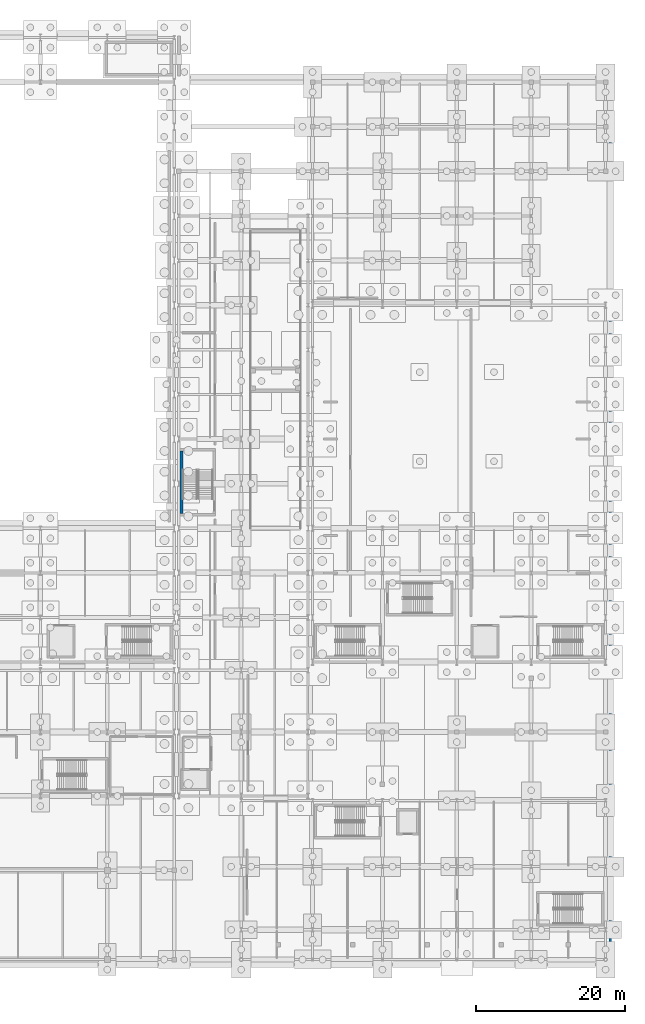
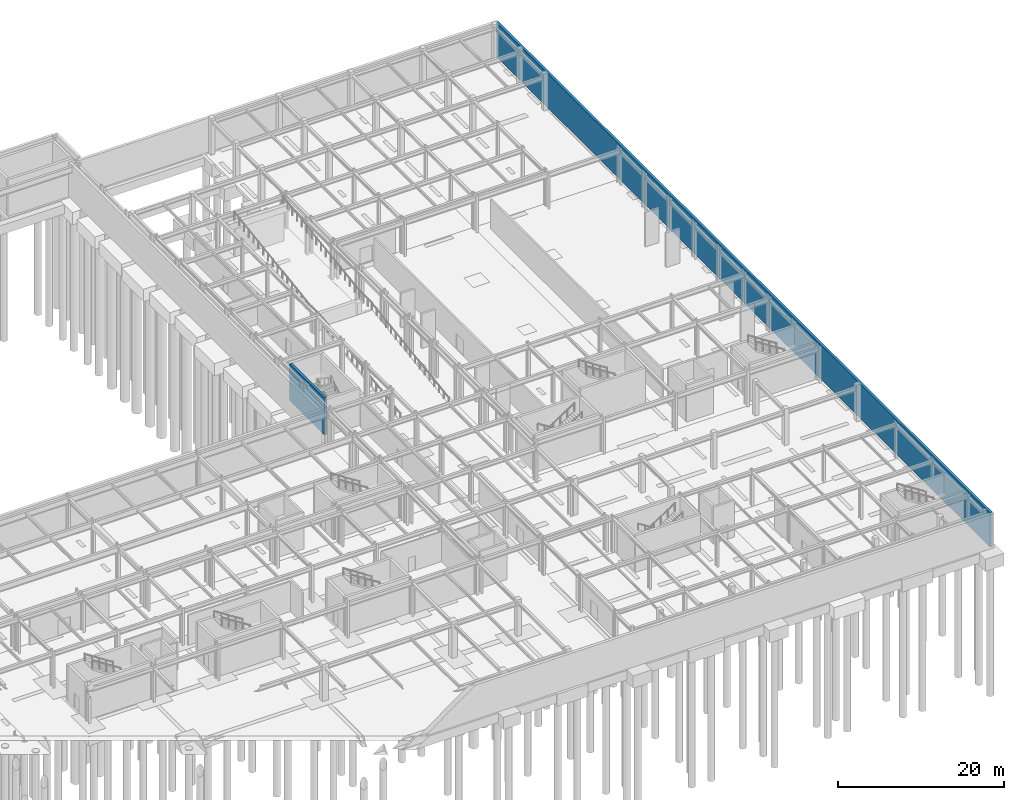
# One storey, part 48 of 65: 2 walls.
"""IFC4 building model written with IfcOpenShell, lengths in metres."""

from ifc_helpers import new_model, si_unit, direction, frame, frame_2d, origin, place, context, subcontext, project, spatial, rectangle, extrude, material, layer, layer_set, type_object, element, save


model = new_model("IFC4")

# Units and contexts
model_context = context("Model", 3, precision=1e-05, world=origin(), true_north=direction((0.0, 1.0)))
body_context = subcontext(model_context, "Body", "Model", "MODEL_VIEW")
ifc_project = project(units=[si_unit("LENGTHUNIT", "METRE"), si_unit("AREAUNIT", "SQUARE_METRE"), si_unit("VOLUMEUNIT", "CUBIC_METRE"), si_unit("PLANEANGLEUNIT", "RADIAN"), si_unit("MASSUNIT", "GRAM", prefix="KILO")], contexts=[model_context])

# Site, building, storey
site_placement = place(None, origin())
site = spatial("IfcSite", under=ifc_project, at=site_placement, CompositionType="ELEMENT")
building_placement = place(site_placement, origin())
building = spatial("IfcBuilding", under=site, at=building_placement, Name="Kaldris Quays Convention Centre", CompositionType="ELEMENT")
storey_placement = place(building_placement, frame((0.0, 0.0, -5.39990234375)))
storey = spatial("IfcBuildingStorey", under=building, at=storey_placement, Name="B1", CompositionType="ELEMENT", Elevation=-5.39990234375)

# Walls
ifc_material_1 = material(Name="Concrete C35/45", Category="concrete")
ifc_layer_1 = layer(ifc_material_1, 0.360107421875)
ifc_layer_set_1 = layer_set([ifc_layer_1], Name="Concrete C35/45")
wall_type_1 = type_object("IfcWallType", Name="STRUCTURAL WALL RW01", PredefinedType="SOLIDWALL", material=ifc_layer_set_1)
wall_1_placement = place(storey_placement, frame((204.64990234375, 134.47802734375, 0.0), z_axis=(0.0, 0.0, 1.0), x_axis=(0.0, -1.0, 0.0)))
element("IfcWall", 1, at=wall_1_placement, inside=storey, type_object=wall_type_1, Name="B1 Perimeter Retaining Wall RW01 5", PredefinedType="SOLIDWALL", context=body_context, shape_type="SweptSolid", body=[
    extrude(rectangle(XDim=118.9560546875, YDim=0.360107421875, at=frame_2d((59.47802734375, 0.0))), origin(), (0.0, 0.0, 1.0), 5.0478515625),
])
ifc_material_2 = material(Name="Concrete C40/50", Category="concrete")
ifc_layer_2 = layer(ifc_material_2, 0.35009765625)
ifc_layer_set_2 = layer_set([ifc_layer_2], Name="Concrete C40/50")
wall_type_2 = type_object("IfcWallType", Name="STRUCTURAL WALL SW01", PredefinedType="SHEAR", material=ifc_layer_set_2)
wall_2_placement = place(storey_placement, frame((146.97509765625, 76.0, 0.0), z_axis=(0.0, 0.0, 1.0), x_axis=(0.0, 1.0, 0.0)))
element("IfcWall", 2, at=wall_2_placement, inside=storey, type_object=wall_type_2, Name="B1 Core Shear Wall CORE-ST14-B1-W", PredefinedType="SHEAR", context=body_context, shape_type="SweptSolid", body=[
    extrude(rectangle(XDim=8.39990234375, YDim=0.35009765625, at=frame_2d((4.199951171875, 0.0))), origin(), (0.0, 0.0, 1.0), 5.39990234375),
])

save(model, "model.ifc")
